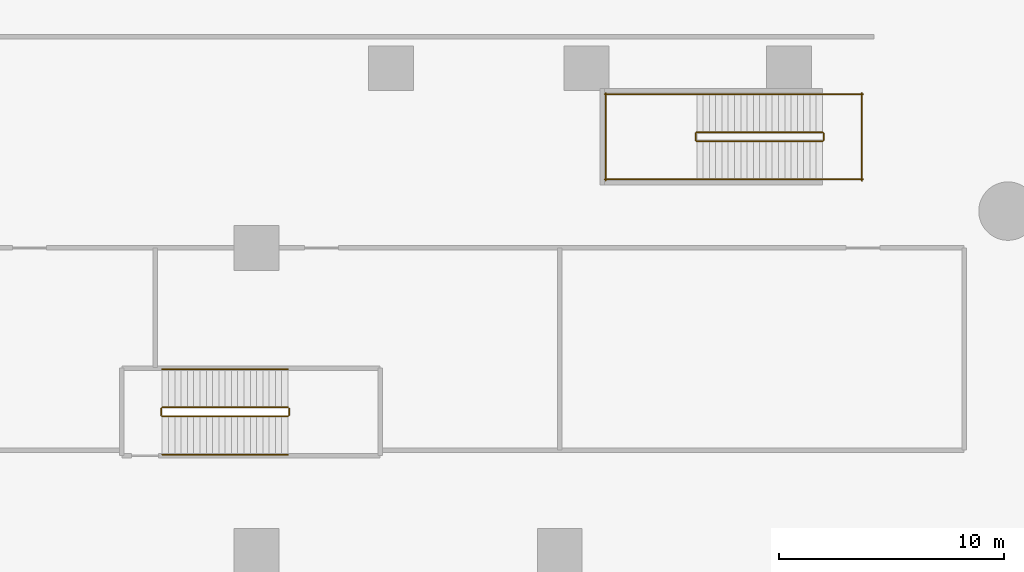
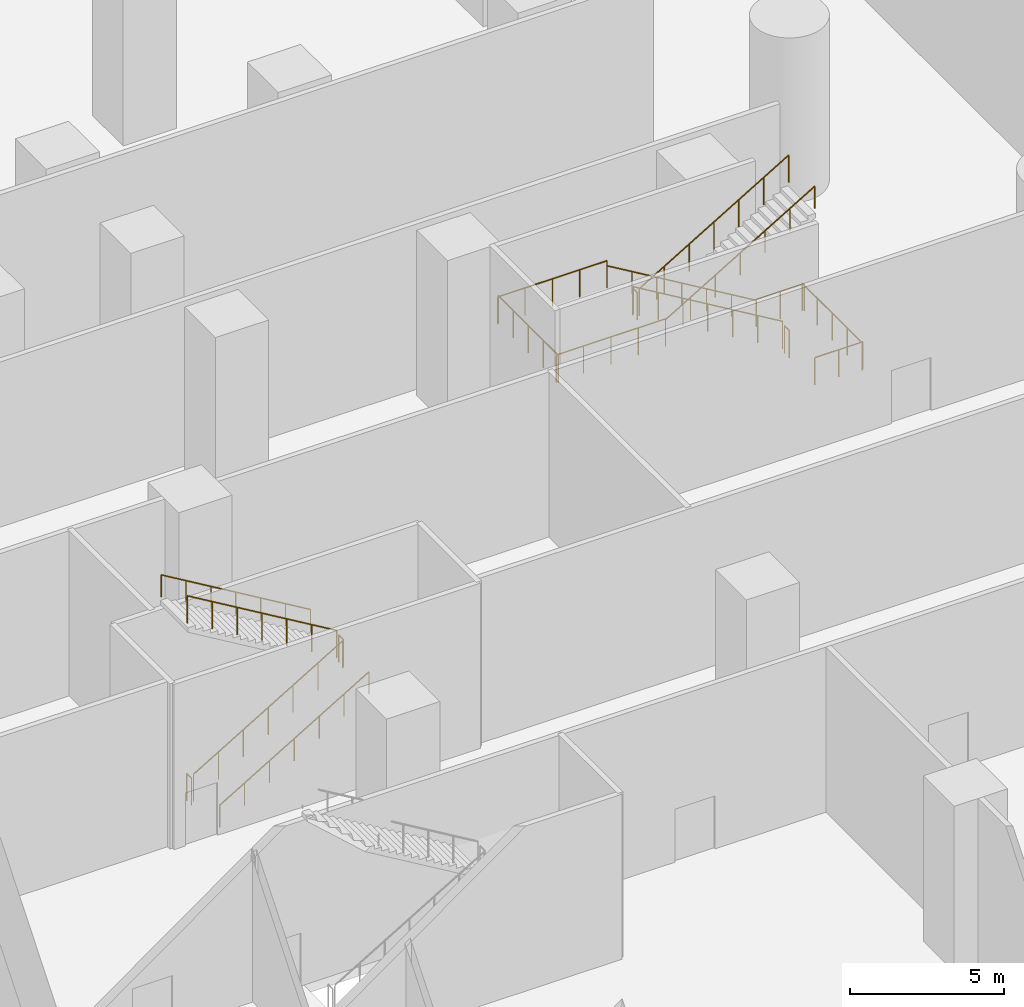
# One storey, part 17 of 30: 18 railings.
"""IFC4 building model written with IfcOpenShell, lengths in metres."""

from ifc_helpers import new_model, si_unit, direction, frame, origin, origin_2d, place, context, subcontext, project, spatial, circle, extrude, material, type_object, element, save


model = new_model("IFC4")

# Units and contexts
model_context = context("Model", 3, precision=1e-05, world=origin(), true_north=direction((0.0, 1.0)))
body_context = subcontext(model_context, "Body", "Model", "MODEL_VIEW")
ifc_project = project(units=[si_unit("LENGTHUNIT", "METRE"), si_unit("AREAUNIT", "SQUARE_METRE"), si_unit("VOLUMEUNIT", "CUBIC_METRE"), si_unit("PLANEANGLEUNIT", "RADIAN"), si_unit("MASSUNIT", "GRAM", prefix="KILO")], contexts=[model_context])

# Site, building, storey
site_placement = place(None, origin())
site = spatial("IfcSite", under=ifc_project, at=site_placement, CompositionType="ELEMENT")
building_placement = place(site_placement, origin())
building = spatial("IfcBuilding", under=site, at=building_placement, Name="Tamarind Cross Interchange Tower", CompositionType="ELEMENT")
storey_placement = place(building_placement, frame((0.0, 0.0, -14.0)))
storey = spatial("IfcBuildingStorey", under=building, at=storey_placement, Name="B2", CompositionType="ELEMENT", Elevation=-14.0)

# Railings
ifc_material_1 = material(Name="Public stair guard")
railing_type_1 = type_object("IfcRailingType", Name="Public stair guard", PredefinedType="GUARDRAIL", material=ifc_material_1)
railing_1_placement = place(storey_placement, frame((-28.800048828125, -8.35009765625, 0.166748046875)))
element("IfcRailing", 1, at=railing_1_placement, inside=storey, type_object=railing_type_1, Name="B2 MS-W stair guard 1", PredefinedType="GUARDRAIL", context=body_context, shape_type="SweptSolid", body=[
    extrude(circle(Radius=0.02392578125, at=origin_2d()), frame((0.0, 0.0, 1.076171875), z_axis=(-0.859292492371, 0.0, 0.511484518392), x_axis=(0.0, -1.0, 0.0)), (0.0, 0.0, 1.0), 6.516845703125),
    extrude(circle(Radius=0.02099609375, at=origin_2d()), origin(), (0.0, 0.0, 1.0), 1.052001953125),
    extrude(circle(Radius=0.02099609375, at=origin_2d()), frame((-0.933349609375, 0.0, 0.5556640625)), (0.0, 0.0, 1.0), 1.052001953125),
    extrude(circle(Radius=0.02099609375, at=origin_2d()), frame((-1.86669921875, 0.0, 1.111083984375)), (0.0, 0.0, 1.0), 1.052001953125),
    extrude(circle(Radius=0.02099609375, at=origin_2d()), frame((-2.7998046875, 0.0, 1.66650390625)), (0.0, 0.0, 1.0), 1.052001953125),
    extrude(circle(Radius=0.02099609375, at=origin_2d()), frame((-3.733154296875, 0.0, 2.22216796875)), (0.0, 0.0, 1.0), 1.052001953125),
    extrude(circle(Radius=0.02099609375, at=origin_2d()), frame((-4.66650390625, 0.0, 2.77783203125)), (0.0, 0.0, 1.0), 1.052001953125),
    extrude(circle(Radius=0.02099609375, at=origin_2d()), frame((-5.599853515625, 0.0, 3.333251953125)), (0.0, 0.0, 1.0), 1.052001953125),
])
railing_2_placement = place(storey_placement, frame((-34.449951171875, -8.39990234375, 3.5)))
element("IfcRailing", 2, at=railing_2_placement, inside=storey, type_object=railing_type_1, Name="B2 MS-W stair guard 2", PredefinedType="GUARDRAIL", context=body_context, shape_type="SweptSolid", body=[
    extrude(circle(Radius=0.02392578125, at=origin_2d()), frame((0.0, 0.0, 1.076171875), z_axis=(0.0, -1.0, 0.0), x_axis=(1.0, 0.0, 0.0)), (0.0, 0.0, 1.0), 0.300048828125),
    extrude(circle(Radius=0.02099609375, at=origin_2d()), origin(), (0.0, 0.0, 1.0), 1.052001953125),
    extrude(circle(Radius=0.02099609375, at=origin_2d()), frame((0.0, -0.300048828125, 0.0)), (0.0, 0.0, 1.0), 1.052001953125),
])
for number, where, name in (
    (3, (-34.39990234375, -6.64990234375, 3.5), "B2 MS-W stair guard 3"),
    (4, (-34.39990234375, -10.449951171875, 3.5), "B2 MS-W stair guard 4"),
):
    element("IfcRailing", number, at=place(storey_placement, frame(where)), inside=storey, type_object=railing_type_1, Name=name, PredefinedType="GUARDRAIL", context=body_context, shape_type="SweptSolid", body=[
        extrude(circle(Radius=0.02392578125, at=origin_2d()), frame((0.0, 0.0, 1.076171875), z_axis=(-1.0, 0.0, 0.0), x_axis=(0.0, -1.0, 0.0)), (0.0, 0.0, 1.0), 4.10009765625),
        extrude(circle(Radius=0.02099609375, at=origin_2d()), origin(), (0.0, 0.0, 1.0), 1.052001953125),
        extrude(circle(Radius=0.02099609375, at=origin_2d()), frame((-1.02490234375, 0.0, 0.0)), (0.0, 0.0, 1.0), 1.052001953125),
        extrude(circle(Radius=0.02099609375, at=origin_2d()), frame((-2.050048828125, 0.0, 0.0)), (0.0, 0.0, 1.0), 1.052001953125),
        extrude(circle(Radius=0.02099609375, at=origin_2d()), frame((-3.0751953125, 0.0, 0.0)), (0.0, 0.0, 1.0), 1.052001953125),
        extrude(circle(Radius=0.02099609375, at=origin_2d()), frame((-4.10009765625, 0.0, 0.0)), (0.0, 0.0, 1.0), 1.052001953125),
    ])
railing_3_placement = place(storey_placement, frame((-38.449951171875, -6.60009765625, 3.5)))
element("IfcRailing", 5, at=railing_3_placement, inside=storey, type_object=railing_type_1, Name="B2 MS-W stair guard 5", PredefinedType="GUARDRAIL", context=body_context, shape_type="SweptSolid", body=[
    extrude(circle(Radius=0.02392578125, at=origin_2d()), frame((0.0, 0.0, 1.076171875), z_axis=(0.0, -1.0, 0.0), x_axis=(1.0, 0.0, 0.0)), (0.0, 0.0, 1.0), 3.89990234375),
    extrude(circle(Radius=0.02099609375, at=origin_2d()), origin(), (0.0, 0.0, 1.0), 1.052001953125),
    extrude(circle(Radius=0.02099609375, at=origin_2d()), frame((0.0, -0.97509765625, 0.0)), (0.0, 0.0, 1.0), 1.052001953125),
    extrude(circle(Radius=0.02099609375, at=origin_2d()), frame((0.0, -1.949951171875, 0.0)), (0.0, 0.0, 1.0), 1.052001953125),
    extrude(circle(Radius=0.02099609375, at=origin_2d()), frame((0.0, -2.9248046875, 0.0)), (0.0, 0.0, 1.0), 1.052001953125),
    extrude(circle(Radius=0.02099609375, at=origin_2d()), frame((0.0, -3.89990234375, 0.0)), (0.0, 0.0, 1.0), 1.052001953125),
])
railing_4_placement = place(storey_placement, frame((-34.39990234375, -8.75, 3.666748046875)))
element("IfcRailing", 6, at=railing_4_placement, inside=storey, type_object=railing_type_1, Name="B2 MS-W stair guard 6", PredefinedType="GUARDRAIL", context=body_context, shape_type="SweptSolid", body=[
    extrude(circle(Radius=0.02392578125, at=origin_2d()), frame((0.0, 0.0, 1.076171875), z_axis=(0.859292492371, 0.0, 0.511484518392), x_axis=(0.0, 1.0, 0.0)), (0.0, 0.0, 1.0), 6.516845703125),
    extrude(circle(Radius=0.02099609375, at=origin_2d()), origin(), (0.0, 0.0, 1.0), 1.052001953125),
    extrude(circle(Radius=0.02099609375, at=origin_2d()), frame((0.933349609375, 0.0, 0.5556640625)), (0.0, 0.0, 1.0), 1.052001953125),
    extrude(circle(Radius=0.02099609375, at=origin_2d()), frame((1.86669921875, 0.0, 1.111083984375)), (0.0, 0.0, 1.0), 1.052001953125),
    extrude(circle(Radius=0.02099609375, at=origin_2d()), frame((2.7998046875, 0.0, 1.66650390625)), (0.0, 0.0, 1.0), 1.052001953125),
    extrude(circle(Radius=0.02099609375, at=origin_2d()), frame((3.733154296875, 0.0, 2.22216796875)), (0.0, 0.0, 1.0), 1.052001953125),
    extrude(circle(Radius=0.02099609375, at=origin_2d()), frame((4.66650390625, 0.0, 2.77783203125)), (0.0, 0.0, 1.0), 1.052001953125),
    extrude(circle(Radius=0.02099609375, at=origin_2d()), frame((5.599853515625, 0.0, 3.333251953125)), (0.0, 0.0, 1.0), 1.052001953125),
])
railing_5_placement = place(storey_placement, frame((-28.75, -8.39990234375, 0.0)))
element("IfcRailing", 7, at=railing_5_placement, inside=storey, type_object=railing_type_1, Name="B2 MS-W stair guard 7", PredefinedType="GUARDRAIL", context=body_context, shape_type="SweptSolid", body=[
    extrude(circle(Radius=0.02392578125, at=origin_2d()), frame((0.0, 0.0, 1.076171875), z_axis=(0.0, -1.0, 0.0), x_axis=(1.0, 0.0, 0.0)), (0.0, 0.0, 1.0), 0.300048828125),
    extrude(circle(Radius=0.02099609375, at=origin_2d()), origin(), (0.0, 0.0, 1.0), 1.052001953125),
    extrude(circle(Radius=0.02099609375, at=origin_2d()), frame((0.0, -0.300048828125, 0.0)), (0.0, 0.0, 1.0), 1.052001953125),
])
for number, where, name in (
    (8, (-27.0, -6.64990234375, 0.0), "B2 MS-W stair guard 8"),
    (9, (-27.0, -10.449951171875, 0.0), "B2 MS-W stair guard 9"),
):
    element("IfcRailing", number, at=place(storey_placement, frame(where)), inside=storey, type_object=railing_type_1, Name=name, PredefinedType="GUARDRAIL", context=body_context, shape_type="SweptSolid", body=[
        extrude(circle(Radius=0.02392578125, at=origin_2d()), frame((0.0, 0.0, 1.076171875), z_axis=(-1.0, 0.0, 0.0), x_axis=(0.0, -1.0, 0.0)), (0.0, 0.0, 1.0), 1.800048828125),
        extrude(circle(Radius=0.02099609375, at=origin_2d()), origin(), (0.0, 0.0, 1.0), 1.052001953125),
        extrude(circle(Radius=0.02099609375, at=origin_2d()), frame((-0.89990234375, 0.0, 0.0)), (0.0, 0.0, 1.0), 1.052001953125),
        extrude(circle(Radius=0.02099609375, at=origin_2d()), frame((-1.800048828125, 0.0, 0.0)), (0.0, 0.0, 1.0), 1.052001953125),
    ])
railing_6_placement = place(storey_placement, frame((-27.050048828125, -6.60009765625, 0.0)))
element("IfcRailing", 10, at=railing_6_placement, inside=storey, type_object=railing_type_1, Name="B2 MS-W stair guard 10", PredefinedType="GUARDRAIL", context=body_context, shape_type="SweptSolid", body=[
    extrude(circle(Radius=0.02392578125, at=origin_2d()), frame((0.0, 0.0, 1.076171875), z_axis=(0.0, -1.0, 0.0), x_axis=(1.0, 0.0, 0.0)), (0.0, 0.0, 1.0), 3.89990234375),
    extrude(circle(Radius=0.02099609375, at=origin_2d()), origin(), (0.0, 0.0, 1.0), 1.052001953125),
    extrude(circle(Radius=0.02099609375, at=origin_2d()), frame((0.0, -0.97509765625, 0.0)), (0.0, 0.0, 1.0), 1.052001953125),
    extrude(circle(Radius=0.02099609375, at=origin_2d()), frame((0.0, -1.949951171875, 0.0)), (0.0, 0.0, 1.0), 1.052001953125),
    extrude(circle(Radius=0.02099609375, at=origin_2d()), frame((0.0, -2.9248046875, 0.0)), (0.0, 0.0, 1.0), 1.052001953125),
    extrude(circle(Radius=0.02099609375, at=origin_2d()), frame((0.0, -3.89990234375, 0.0)), (0.0, 0.0, 1.0), 1.052001953125),
])
railing_7_placement = place(storey_placement, frame((-58.199951171875, -21.0, 0.166748046875)))
element("IfcRailing", 11, at=railing_7_placement, inside=storey, type_object=railing_type_1, Name="B2 XS-P08 stair guard 1", PredefinedType="GUARDRAIL", context=body_context, shape_type="SweptSolid", body=[
    extrude(circle(Radius=0.02392578125, at=origin_2d()), frame((0.0, 0.0, 1.076171875), z_axis=(0.859292492371, 0.0, 0.511484518392), x_axis=(0.0, 1.0, 0.0)), (0.0, 0.0, 1.0), 6.516845703125),
    extrude(circle(Radius=0.02099609375, at=origin_2d()), origin(), (0.0, 0.0, 1.0), 1.052001953125),
    extrude(circle(Radius=0.02099609375, at=origin_2d()), frame((0.933349609375, 0.0, 0.5556640625)), (0.0, 0.0, 1.0), 1.052001953125),
    extrude(circle(Radius=0.02099609375, at=origin_2d()), frame((1.86669921875, 0.0, 1.111083984375)), (0.0, 0.0, 1.0), 1.052001953125),
    extrude(circle(Radius=0.02099609375, at=origin_2d()), frame((2.7998046875, 0.0, 1.66650390625)), (0.0, 0.0, 1.0), 1.052001953125),
    extrude(circle(Radius=0.02099609375, at=origin_2d()), frame((3.733154296875, 0.0, 2.22216796875)), (0.0, 0.0, 1.0), 1.052001953125),
    extrude(circle(Radius=0.02099609375, at=origin_2d()), frame((4.66650390625, 0.0, 2.77783203125)), (0.0, 0.0, 1.0), 1.052001953125),
    extrude(circle(Radius=0.02099609375, at=origin_2d()), frame((5.599853515625, 0.0, 3.333251953125)), (0.0, 0.0, 1.0), 1.052001953125),
])
railing_8_placement = place(storey_placement, frame((-52.550048828125, -20.949951171875, 3.5)))
element("IfcRailing", 12, at=railing_8_placement, inside=storey, type_object=railing_type_1, Name="B2 XS-P08 stair guard 2", PredefinedType="GUARDRAIL", context=body_context, shape_type="SweptSolid", body=[
    extrude(circle(Radius=0.02392578125, at=origin_2d()), frame((0.0, 0.0, 1.076171875), z_axis=(0.0, 1.0, 0.0), x_axis=(-1.0, 0.0, 0.0)), (0.0, 0.0, 1.0), 0.300048828125),
    extrude(circle(Radius=0.02099609375, at=origin_2d()), origin(), (0.0, 0.0, 1.0), 1.052001953125),
    extrude(circle(Radius=0.02099609375, at=origin_2d()), frame((0.0, 0.300048828125, 0.0)), (0.0, 0.0, 1.0), 1.052001953125),
])
railing_9_placement = place(storey_placement, frame((-52.60009765625, -20.60009765625, 3.666748046875)))
element("IfcRailing", 13, at=railing_9_placement, inside=storey, type_object=railing_type_1, Name="B2 XS-P08 stair guard 3", PredefinedType="GUARDRAIL", context=body_context, shape_type="SweptSolid", body=[
    extrude(circle(Radius=0.02392578125, at=origin_2d()), frame((0.0, 0.0, 1.076171875), z_axis=(-0.859292492371, 0.0, 0.511484518392), x_axis=(0.0, -1.0, 0.0)), (0.0, 0.0, 1.0), 6.516845703125),
    extrude(circle(Radius=0.02099609375, at=origin_2d()), origin(), (0.0, 0.0, 1.0), 1.052001953125),
    extrude(circle(Radius=0.02099609375, at=origin_2d()), frame((-0.933349609375, 0.0, 0.5556640625)), (0.0, 0.0, 1.0), 1.052001953125),
    extrude(circle(Radius=0.02099609375, at=origin_2d()), frame((-1.86669921875, 0.0, 1.111083984375)), (0.0, 0.0, 1.0), 1.052001953125),
    extrude(circle(Radius=0.02099609375, at=origin_2d()), frame((-2.7998046875, 0.0, 1.66650390625)), (0.0, 0.0, 1.0), 1.052001953125),
    extrude(circle(Radius=0.02099609375, at=origin_2d()), frame((-3.733154296875, 0.0, 2.22216796875)), (0.0, 0.0, 1.0), 1.052001953125),
    extrude(circle(Radius=0.02099609375, at=origin_2d()), frame((-4.66650390625, 0.0, 2.77783203125)), (0.0, 0.0, 1.0), 1.052001953125),
    extrude(circle(Radius=0.02099609375, at=origin_2d()), frame((-5.599853515625, 0.0, 3.333251953125)), (0.0, 0.0, 1.0), 1.052001953125),
])
railing_10_placement = place(storey_placement, frame((-58.25, -20.949951171875, 0.0)))
element("IfcRailing", 14, at=railing_10_placement, inside=storey, type_object=railing_type_1, Name="B2 XS-P08 stair guard 4", PredefinedType="GUARDRAIL", context=body_context, shape_type="SweptSolid", body=[
    extrude(circle(Radius=0.02392578125, at=origin_2d()), frame((0.0, 0.0, 1.076171875), z_axis=(0.0, 1.0, 0.0), x_axis=(-1.0, 0.0, 0.0)), (0.0, 0.0, 1.0), 0.300048828125),
    extrude(circle(Radius=0.02099609375, at=origin_2d()), origin(), (0.0, 0.0, 1.0), 1.052001953125),
    extrude(circle(Radius=0.02099609375, at=origin_2d()), frame((0.0, 0.300048828125, 0.0)), (0.0, 0.0, 1.0), 1.052001953125),
])
ifc_material_2 = material(Name="Public stair handrail")
railing_type_2 = type_object("IfcRailingType", Name="Public stair handrail", PredefinedType="HANDRAIL", material=ifc_material_2)
railing_11_placement = place(storey_placement, frame((-28.800048828125, -6.64990234375, 0.166748046875)))
element("IfcRailing", 15, at=railing_11_placement, inside=storey, type_object=railing_type_2, Name="B2 MS-W stair handrail 1", PredefinedType="HANDRAIL", context=body_context, shape_type="SweptSolid", body=[
    extrude(circle(Radius=0.02392578125, at=origin_2d()), frame((0.0, 0.0, 0.8759765625), z_axis=(-0.859292492371, 0.0, 0.511484518392), x_axis=(0.0, -1.0, 0.0)), (0.0, 0.0, 1.0), 6.516845703125),
    extrude(circle(Radius=0.02099609375, at=origin_2d()), origin(), (0.0, 0.0, 1.0), 0.851806640625),
    extrude(circle(Radius=0.02099609375, at=origin_2d()), frame((-0.933349609375, 0.0, 0.5556640625)), (0.0, 0.0, 1.0), 0.851806640625),
    extrude(circle(Radius=0.02099609375, at=origin_2d()), frame((-1.86669921875, 0.0, 1.111083984375)), (0.0, 0.0, 1.0), 0.851806640625),
    extrude(circle(Radius=0.02099609375, at=origin_2d()), frame((-2.7998046875, 0.0, 1.66650390625)), (0.0, 0.0, 1.0), 0.851806640625),
    extrude(circle(Radius=0.02099609375, at=origin_2d()), frame((-3.733154296875, 0.0, 2.22216796875)), (0.0, 0.0, 1.0), 0.851806640625),
    extrude(circle(Radius=0.02099609375, at=origin_2d()), frame((-4.66650390625, 0.0, 2.77783203125)), (0.0, 0.0, 1.0), 0.851806640625),
    extrude(circle(Radius=0.02099609375, at=origin_2d()), frame((-5.599853515625, 0.0, 3.333251953125)), (0.0, 0.0, 1.0), 0.851806640625),
])
for number, where, name in (
    (16, (-34.39990234375, -10.449951171875, 3.666748046875), "B2 MS-W stair handrail 2"),
    (17, (-58.199951171875, -22.699951171875, 0.166748046875), "B2 XS-P08 stair handrail 1"),
):
    element("IfcRailing", number, at=place(storey_placement, frame(where)), inside=storey, type_object=railing_type_2, Name=name, PredefinedType="HANDRAIL", context=body_context, shape_type="SweptSolid", body=[
        extrude(circle(Radius=0.02392578125, at=origin_2d()), frame((0.0, 0.0, 0.8759765625), z_axis=(0.859292492371, 0.0, 0.511484518392), x_axis=(0.0, 1.0, 0.0)), (0.0, 0.0, 1.0), 6.516845703125),
        extrude(circle(Radius=0.02099609375, at=origin_2d()), origin(), (0.0, 0.0, 1.0), 0.851806640625),
        extrude(circle(Radius=0.02099609375, at=origin_2d()), frame((0.933349609375, 0.0, 0.5556640625)), (0.0, 0.0, 1.0), 0.851806640625),
        extrude(circle(Radius=0.02099609375, at=origin_2d()), frame((1.86669921875, 0.0, 1.111083984375)), (0.0, 0.0, 1.0), 0.851806640625),
        extrude(circle(Radius=0.02099609375, at=origin_2d()), frame((2.7998046875, 0.0, 1.66650390625)), (0.0, 0.0, 1.0), 0.851806640625),
        extrude(circle(Radius=0.02099609375, at=origin_2d()), frame((3.733154296875, 0.0, 2.22216796875)), (0.0, 0.0, 1.0), 0.851806640625),
        extrude(circle(Radius=0.02099609375, at=origin_2d()), frame((4.66650390625, 0.0, 2.77783203125)), (0.0, 0.0, 1.0), 0.851806640625),
        extrude(circle(Radius=0.02099609375, at=origin_2d()), frame((5.599853515625, 0.0, 3.333251953125)), (0.0, 0.0, 1.0), 0.851806640625),
    ])
railing_12_placement = place(storey_placement, frame((-52.60009765625, -18.89990234375, 3.666748046875)))
element("IfcRailing", 18, at=railing_12_placement, inside=storey, type_object=railing_type_2, Name="B2 XS-P08 stair handrail 2", PredefinedType="HANDRAIL", context=body_context, shape_type="SweptSolid", body=[
    extrude(circle(Radius=0.02392578125, at=origin_2d()), frame((0.0, 0.0, 0.8759765625), z_axis=(-0.859292492371, 0.0, 0.511484518392), x_axis=(0.0, -1.0, 0.0)), (0.0, 0.0, 1.0), 6.516845703125),
    extrude(circle(Radius=0.02099609375, at=origin_2d()), origin(), (0.0, 0.0, 1.0), 0.851806640625),
    extrude(circle(Radius=0.02099609375, at=origin_2d()), frame((-0.933349609375, 0.0, 0.5556640625)), (0.0, 0.0, 1.0), 0.851806640625),
    extrude(circle(Radius=0.02099609375, at=origin_2d()), frame((-1.86669921875, 0.0, 1.111083984375)), (0.0, 0.0, 1.0), 0.851806640625),
    extrude(circle(Radius=0.02099609375, at=origin_2d()), frame((-2.7998046875, 0.0, 1.66650390625)), (0.0, 0.0, 1.0), 0.851806640625),
    extrude(circle(Radius=0.02099609375, at=origin_2d()), frame((-3.733154296875, 0.0, 2.22216796875)), (0.0, 0.0, 1.0), 0.851806640625),
    extrude(circle(Radius=0.02099609375, at=origin_2d()), frame((-4.66650390625, 0.0, 2.77783203125)), (0.0, 0.0, 1.0), 0.851806640625),
    extrude(circle(Radius=0.02099609375, at=origin_2d()), frame((-5.599853515625, 0.0, 3.333251953125)), (0.0, 0.0, 1.0), 0.851806640625),
])

save(model, "model.ifc")
